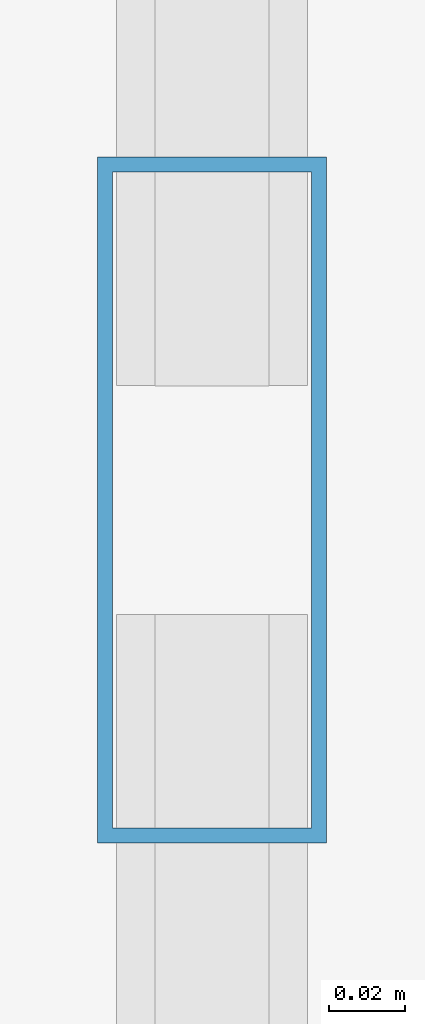
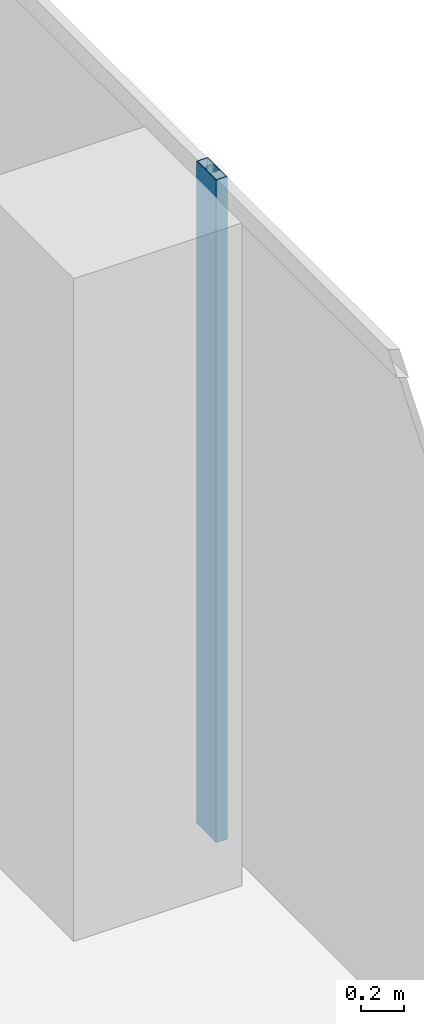
# One storey, part 15 of 34: 1 member, 1 element without a shape of its own.
"""IFC4 building model written with IfcOpenShell, lengths in metres."""

from ifc_helpers import new_model, si_unit, direction, frame, origin, origin_2d, place, context, subcontext, project, spatial, hollow_rectangle, extrude, source, transform, mapped, material, material_profile, profile_set, type_object, element, aggregate, save


model = new_model("IFC4")

# Units and contexts
model_context = context("Model", 3, precision=1e-05, world=origin(), true_north=direction((0.0, 1.0)))
body_context = subcontext(model_context, "Body", "Model", "MODEL_VIEW")
ifc_project = project(units=[si_unit("LENGTHUNIT", "METRE"), si_unit("AREAUNIT", "SQUARE_METRE"), si_unit("VOLUMEUNIT", "CUBIC_METRE"), si_unit("PLANEANGLEUNIT", "RADIAN"), si_unit("MASSUNIT", "GRAM", prefix="KILO")], contexts=[model_context])

# Site, building, storey
site_placement = place(None, origin())
site = spatial("IfcSite", under=ifc_project, at=site_placement, CompositionType="ELEMENT")
building_placement = place(site_placement, origin())
building = spatial("IfcBuilding", under=site, at=building_placement, Name="Khomas Fold Tower", CompositionType="ELEMENT")
storey_placement = place(building_placement, frame((0.0, 0.0, 242.199951171875)))
storey = spatial("IfcBuildingStorey", under=building, at=storey_placement, Name="L54", CompositionType="ELEMENT", Elevation=242.199951171875)

# Curtain wall, member
ifc_material_1 = material(Name="Aluminium framed double glazing", Category="aluminium")
curtain_wall_type = type_object("IfcCurtainWallType", Name="SK-Unitised clear-glass wall, office floors CW2", PredefinedType="NOTDEFINED", material=ifc_material_1)
curtain_wall_placement = place(storey_placement, origin())
curtain_wall = element("IfcCurtainWall", 1, at=curtain_wall_placement, inside=storey, type_object=curtain_wall_type, Name="CW2 run L54 03-0", PredefinedType="NOTDEFINED")
ifc_material_2 = material(Name="Aluminium", Category="aluminium")
ifc_material_profile = material_profile(ifc_material_2, hollow_rectangle(XDim=0.06005859375, YDim=0.179931640625, WallThickness=0.00390625, at=origin_2d()), Name="SK-Unitised clear-glass wall, office floors mullion CW2-M")
ifc_profile_set = profile_set([ifc_material_profile], Name="Aluminium")
member_type = type_object("IfcMemberType", Name="SK-Unitised clear-glass wall, office floors mullion CW2-M", PredefinedType="MULLION", material=ifc_profile_set)
shared_shape = source(origin(), body_context, "Body", "SweptSolid", [
    extrude(hollow_rectangle(XDim=0.06005859375, YDim=0.179931640625, WallThickness=0.00390625, at=origin_2d()), origin(), (0.0, 0.0, 1.0), 3.75),
])
member_placement = place(storey_placement, frame((49.39990234375, 34.5, 0.0), z_axis=(0.0, 0.0, 1.0), x_axis=(-1.0, 0.0, 0.0)))
member = element("IfcMember", 2, at=member_placement, type_object=member_type, Name="CW2 mullion 5", PredefinedType="MULLION", context=body_context, shape_type="MappedRepresentation", body=[
    mapped(shared_shape, transform((0.0, 0.0, 0.0))),
])
aggregate(curtain_wall, [member])

save(model, "model.ifc")
